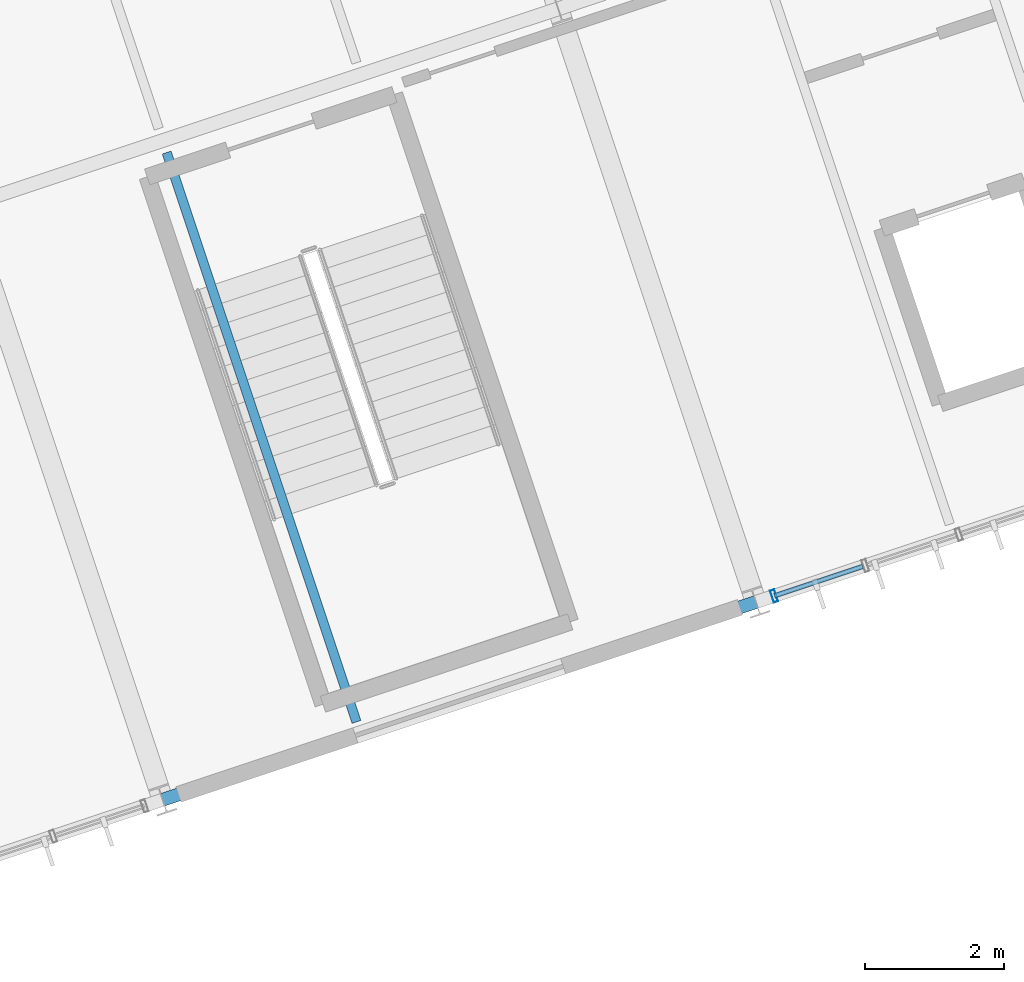
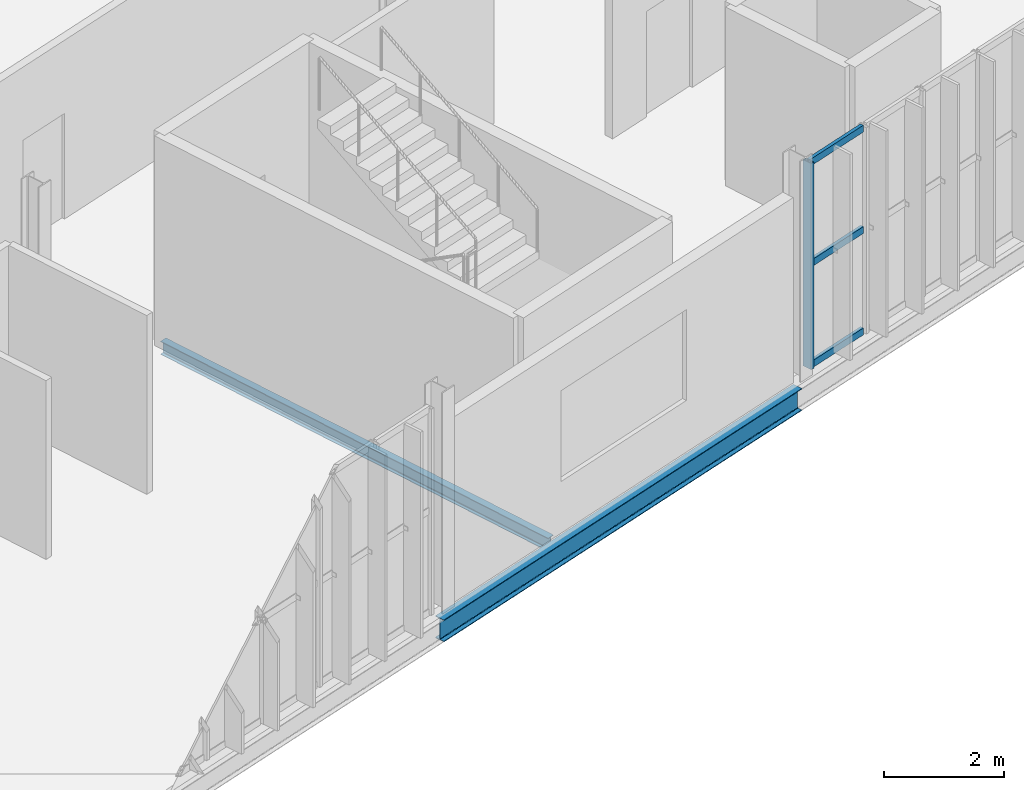
# One storey, part 29 of 152: 4 members, 2 beams, 1 element without a shape of its own.
"""IFC4 building model written with IfcOpenShell, lengths in metres."""

from ifc_helpers import new_model, si_unit, derived_unit, direction, frame, origin, origin_2d, place, context, subcontext, project, spatial, hollow_rectangle, i_section, extrude, material, material_profile, profile_set, type_object, element, aggregate, save


model = new_model("IFC4")

# Units and contexts
model_context = context("Model", 3, precision=1e-05, world=origin(), true_north=direction((0.0, 1.0)))
body_context = subcontext(model_context, "Body", "Model", "MODEL_VIEW")
ifc_project = project(units=[si_unit("LENGTHUNIT", "METRE"), si_unit("AREAUNIT", "SQUARE_METRE"), si_unit("VOLUMEUNIT", "CUBIC_METRE"), si_unit("PLANEANGLEUNIT", "RADIAN"), si_unit("MASSUNIT", "GRAM", prefix="KILO"), si_unit("THERMODYNAMICTEMPERATUREUNIT", "KELVIN"), si_unit("TIMEUNIT", "SECOND"), derived_unit("THERMALTRANSMITTANCEUNIT", [(si_unit("MASSUNIT", "GRAM", prefix="KILO"), 1), (si_unit("THERMODYNAMICTEMPERATUREUNIT", "KELVIN"), -1), (si_unit("TIMEUNIT", "SECOND"), -3)])], contexts=[model_context])

# Site, building, storey
site_placement = place(None, origin())
site = spatial("IfcSite", under=ifc_project, at=site_placement, CompositionType="ELEMENT")
building_placement = place(site_placement, origin())
building = spatial("IfcBuilding", under=site, at=building_placement, Name="Cambertide Market Hall", CompositionType="ELEMENT")
storey_placement = place(building_placement, frame((0.0, 0.0, 5.39990234375)))
storey = spatial("IfcBuildingStorey", under=building, at=storey_placement, Name="L02", CompositionType="ELEMENT", Elevation=5.39990234375)

# Curtain wall, members
ifc_material_1 = material(Name="Marine Anodized Aluminium 6063-T6 AA25", Category="aluminium")
curtain_wall_type = type_object("IfcCurtainWallType", Name="Food Court Upper Glazed Facade", PredefinedType="USERDEFINED", material=ifc_material_1)
curtain_wall_placement = place(storey_placement, origin())
curtain_wall = element("IfcCurtainWall", 1, at=curtain_wall_placement, inside=storey, type_object=curtain_wall_type, Name="Level 2 Curtain Wall CW-V3S-L02-3", ObjectType="UNITIZED CURTAIN WALL", PredefinedType="USERDEFINED")
ifc_material_2 = material(Name="Champagne Marine Anodized Aluminium 6063-T6 AA25", Category="aluminium")
ifc_material_profile_1 = material_profile(ifc_material_2, hollow_rectangle(XDim=0.06494140625, YDim=0.179931640625, WallThickness=0.00390625, at=origin_2d()), Name="ALU MULLION 65x180")
ifc_profile_set_1 = profile_set([ifc_material_profile_1], Name="Champagne Marine Anodized Aluminium 6063-T6 AA25")
member_type_1 = type_object("IfcMemberType", Name="Curtain Wall Mullion ALU MULLION 65x180", PredefinedType="MULLION", material=ifc_profile_set_1)
member_1_placement = place(storey_placement, frame((123.337158203125, 17.779052734375, 0.0), z_axis=(0.0, 0.0, 1.0), x_axis=(-0.948683286311, -0.316227801236, 0.0)))
member_1 = element("IfcMember", 2, at=member_1_placement, type_object=member_type_1, Name="CW-V3S-L02-3 Mullion 7", PredefinedType="MULLION", context=body_context, shape_type="SweptSolid", body=[
    extrude(hollow_rectangle(XDim=0.06494140625, YDim=0.179931640625, WallThickness=0.00390625, at=origin_2d()), origin(), (0.0, 0.0, 1.0), 4.2001953125),
])
ifc_material_3 = material(Name="Champagne Marine Anodized Aluminium 6063-T6 AA25", Category="aluminium")
ifc_material_profile_2 = material_profile(ifc_material_3, hollow_rectangle(XDim=0.06494140625, YDim=0.139892578125, WallThickness=0.00341796875, at=origin_2d()), Name="ALU TRANSOM 65x140")
ifc_profile_set_2 = profile_set([ifc_material_profile_2], Name="Champagne Marine Anodized Aluminium 6063-T6 AA25")
member_type_2 = type_object("IfcMemberType", Name="Curtain Wall Transom ALU TRANSOM 65x140", PredefinedType="USERDEFINED", material=ifc_profile_set_2)
member_2_placement = place(storey_placement, frame((124.61328125, 18.204345703125, 0.03515625), z_axis=(-0.948719731918, -0.316118443418, 0.0), x_axis=(0.316118443418, -0.948719731918, 0.0)))
member_2 = element("IfcMember", 3, at=member_2_placement, type_object=member_type_2, Name="CW-V3S-L02-3 Transom 1-6", ObjectType="TRANSOM", PredefinedType="USERDEFINED", context=body_context, shape_type="SweptSolid", body=[
    extrude(hollow_rectangle(XDim=0.06494140625, YDim=0.139892578125, WallThickness=0.00341796875, at=origin_2d()), origin(), (0.0, 0.0, 1.0), 1.33984375),
])
member_3_placement = place(storey_placement, frame((124.61328125, 18.204345703125, 2.10009765625), z_axis=(-0.948719731918, -0.316118443418, 0.0), x_axis=(0.316118443418, -0.948719731918, 0.0)))
member_3 = element("IfcMember", 4, at=member_3_placement, type_object=member_type_2, Name="CW-V3S-L02-3 Transom 2-6", ObjectType="TRANSOM", PredefinedType="USERDEFINED", context=body_context, shape_type="SweptSolid", body=[
    extrude(hollow_rectangle(XDim=0.06494140625, YDim=0.139892578125, WallThickness=0.00341796875, at=origin_2d()), origin(), (0.0, 0.0, 1.0), 1.33984375),
])
member_4_placement = place(storey_placement, frame((124.61328125, 18.204345703125, 4.1650390625), z_axis=(-0.948719731918, -0.316118443418, 0.0), x_axis=(0.316118443418, -0.948719731918, 0.0)))
member_4 = element("IfcMember", 5, at=member_4_placement, type_object=member_type_2, Name="CW-V3S-L02-3 Transom 3-6", ObjectType="TRANSOM", PredefinedType="USERDEFINED", context=body_context, shape_type="SweptSolid", body=[
    extrude(hollow_rectangle(XDim=0.06494140625, YDim=0.139892578125, WallThickness=0.00341796875, at=origin_2d()), origin(), (0.0, 0.0, 1.0), 1.33984375),
])
aggregate(curtain_wall, [member_1, member_2, member_3, member_4])

# Beams
ifc_material_4 = material(Name="Steel S355", Category="steel")
ifc_material_profile_3 = material_profile(ifc_material_4, i_section(OverallWidth=0.18994140625, OverallDepth=0.449951171875, WebThickness=0.009521484375, FlangeThickness=0.0146484375, FilletRadius=0.02099609375, at=origin_2d()), Name="IPE 450")
ifc_profile_set_3 = profile_set([ifc_material_profile_3], Name="Steel S355")
beam_type_1 = type_object("IfcBeamType", Name="Perimeter Spandrel Beam IPE 450", PredefinedType="SPANDREL", material=ifc_profile_set_3)
beam_1_placement = place(storey_placement, frame((114.5380859375, 14.845947265625, -0.474853515625), z_axis=(0.948680585407, 0.316235903831, 0.0), x_axis=(-0.316235903831, 0.948680585407, 0.0)))
element("IfcBeam", 6, at=beam_1_placement, inside=storey, type_object=beam_type_1, Name="Level 2 Spandrel BM-V3U-L02-2-1", PredefinedType="SPANDREL", context=body_context, shape_type="SweptSolid", body=[
    extrude(i_section(OverallWidth=0.18994140625, OverallDepth=0.449951171875, WebThickness=0.009521484375, FlangeThickness=0.0146484375, FilletRadius=0.02099609375, at=origin_2d()), origin(), (0.0, 0.0, 1.0), 9.000244140625),
])
ifc_material_5 = material(Name="Steel S275", Category="steel")
ifc_material_profile_4 = material_profile(ifc_material_5, i_section(OverallWidth=0.135009765625, OverallDepth=0.27001953125, WebThickness=0.006591796875, FlangeThickness=0.01025390625, FilletRadius=0.014892578125, at=origin_2d()), Name="IPE 270")
ifc_profile_set_4 = profile_set([ifc_material_profile_4], Name="Steel S275")
beam_type_2 = type_object("IfcBeamType", Name="Steel Secondary Joist IPE 270", PredefinedType="JOIST", material=ifc_profile_set_4)
beam_2_placement = place(storey_placement, frame((117.327392578125, 15.965576171875, -0.385009765625), z_axis=(-0.316253197272, 0.948674820587, 0.0), x_axis=(-0.948674820587, -0.316253197272, 0.0)))
element("IfcBeam", 7, at=beam_2_placement, inside=storey, type_object=beam_type_2, Name="Level 2 Joist JS-V3-L02-2-1-1", PredefinedType="JOIST", context=body_context, shape_type="SweptSolid", body=[
    extrude(i_section(OverallWidth=0.135009765625, OverallDepth=0.27001953125, WebThickness=0.006591796875, FlangeThickness=0.01025390625, FilletRadius=0.014892578125, at=origin_2d()), origin(), (0.0, 0.0, 1.0), 8.639892578125),
])

save(model, "model.ifc")
